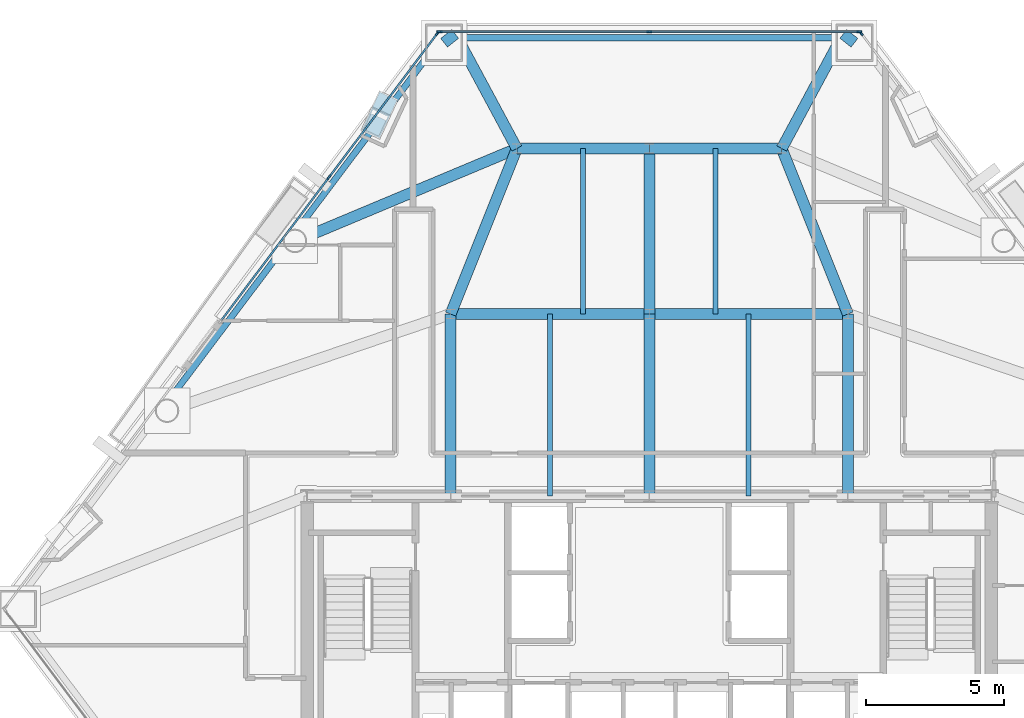
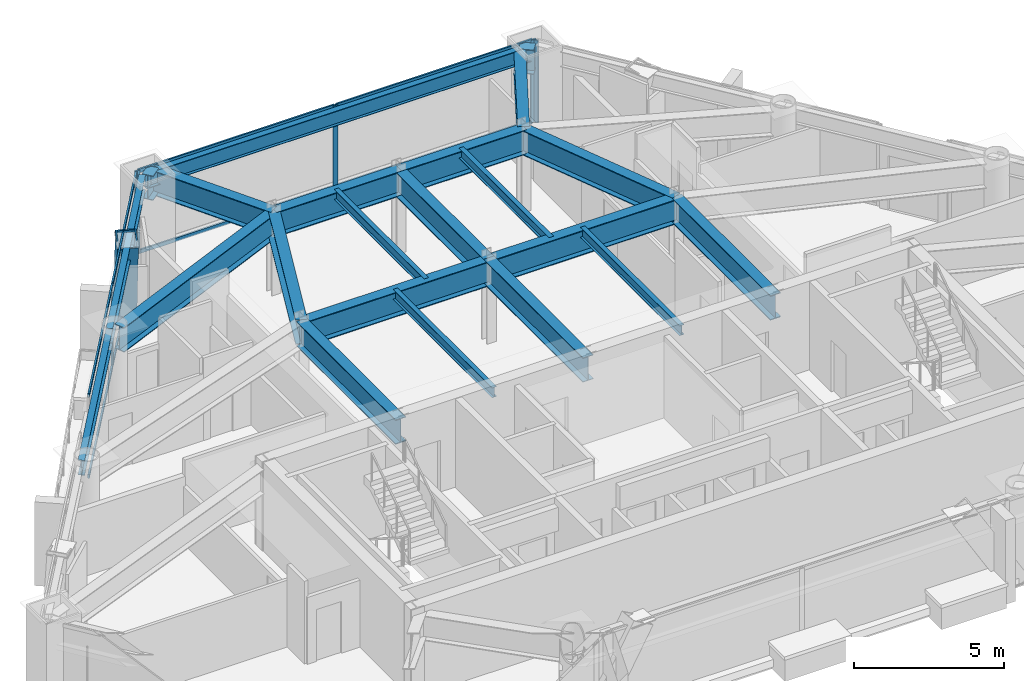
# One storey, part 3 of 10: 22 beams, 15 members, 3 elements without a shape of their own.
"""IFC4 building model written with IfcOpenShell, lengths in metres."""

from ifc_helpers import new_model, si_unit, direction, frame, origin, origin_2d, place, context, subcontext, project, spatial, rectangle, hollow_rectangle, i_section, extrude, material, layer, layer_set, material_profile, profile_set, type_object, element, aggregate, save


model = new_model("IFC4")

# Units and contexts
model_context = context("Model", 3, precision=1e-05, world=origin(), true_north=direction((0.0, 1.0)))
body_context = subcontext(model_context, "Body", "Model", "MODEL_VIEW")
ifc_project = project(units=[si_unit("LENGTHUNIT", "METRE"), si_unit("AREAUNIT", "SQUARE_METRE"), si_unit("VOLUMEUNIT", "CUBIC_METRE"), si_unit("PLANEANGLEUNIT", "RADIAN"), si_unit("MASSUNIT", "GRAM", prefix="KILO")], contexts=[model_context])

# Site, building, storey
site_placement = place(None, origin())
site = spatial("IfcSite", under=ifc_project, at=site_placement, CompositionType="ELEMENT")
building_placement = place(site_placement, origin())
building = spatial("IfcBuilding", under=site, at=building_placement, Name="Talgorran Terracotta Tower", CompositionType="ELEMENT")
storey_placement = place(building_placement, frame((0.0, 0.0, 64.800048828125)))
storey = spatial("IfcBuildingStorey", under=building, at=storey_placement, Name="L16", CompositionType="ELEMENT", Elevation=64.800048828125)

# Beams
ifc_material_1 = material(Name="Steel Grade 350 (350L0)", Category="steel")
ifc_material_profile_1 = material_profile(ifc_material_1, i_section(OverallWidth=0.39990234375, OverallDepth=1.0, WebThickness=0.01611328125, FlangeThickness=0.031005859375, at=origin_2d()), Name="1000WB296")
ifc_profile_set_1 = profile_set([ifc_material_profile_1], Name="Steel Grade 350 (350L0)")
beam_type_1 = type_object("IfcBeamType", Name="BM_1000WB296", PredefinedType="BEAM", material=ifc_profile_set_1)
beam_1_placement = place(storey_placement, frame((7.437744140625, 12.2333984375, 2.849853515625), z_axis=(-0.784007329748, 0.620751566169, 0.0), x_axis=(-0.620751566169, -0.784007329748, 0.0)))
element("IfcBeam", 1, at=beam_1_placement, inside=storey, type_object=beam_type_1, Name="L16 Perimeter Step Girder 9A", PredefinedType="BEAM", context=body_context, shape_type="SweptSolid", body=[
    extrude(i_section(OverallWidth=0.39990234375, OverallDepth=1.0, WebThickness=0.01611328125, FlangeThickness=0.031005859375, at=origin_2d()), origin(), (0.0, 0.0, 1.0), 0.514404296875),
])
beam_2_placement = place(storey_placement, frame((7.034423828125, 12.552734375, 2.849853515625), z_axis=(-0.473809593846, -0.880627315486, 0.0), x_axis=(0.880627315486, -0.473809593846, 0.0)))
element("IfcBeam", 2, at=beam_2_placement, inside=storey, type_object=beam_type_1, Name="L16 Perimeter Step Girder 9B", PredefinedType="BEAM", context=body_context, shape_type="SweptSolid", body=[
    extrude(i_section(OverallWidth=0.39990234375, OverallDepth=1.0, WebThickness=0.01611328125, FlangeThickness=0.031005859375, at=origin_2d()), origin(), (0.0, 0.0, 1.0), 4.7158203125),
])
beam_3_placement = place(storey_placement, frame((-7.437744140625, 12.2333984375, 2.849853515625), z_axis=(0.784007329748, 0.620751566169, 0.0), x_axis=(-0.620751566169, 0.784007329748, 0.0)))
element("IfcBeam", 3, at=beam_3_placement, inside=storey, type_object=beam_type_1, Name="L16 Perimeter Step Girder 10A", PredefinedType="BEAM", context=body_context, shape_type="SweptSolid", body=[
    extrude(i_section(OverallWidth=0.39990234375, OverallDepth=1.0, WebThickness=0.01611328125, FlangeThickness=0.031005859375, at=origin_2d()), origin(), (0.0, 0.0, 1.0), 0.514404296875),
])
beam_4_placement = place(storey_placement, frame((-7.034423828125, 12.552734375, 2.849853515625), z_axis=(0.473809593846, -0.880627315486, 0.0), x_axis=(0.880627315486, 0.473809593846, 0.0)))
element("IfcBeam", 4, at=beam_4_placement, inside=storey, type_object=beam_type_1, Name="L16 Perimeter Step Girder 10B", PredefinedType="BEAM", context=body_context, shape_type="SweptSolid", body=[
    extrude(i_section(OverallWidth=0.39990234375, OverallDepth=1.0, WebThickness=0.01611328125, FlangeThickness=0.031005859375, at=origin_2d()), origin(), (0.0, 0.0, 1.0), 4.7158203125),
])
for number, where, z_axis, x_axis, name in (
    (5, (-7.199951171875, -4.199951171875, 2.849853515625), (0.0, 1.0, 0.0), (-1.0, 0.0, 0.0), "L16 Floor Girder G01"),
    (6, (0.0, -4.199951171875, 2.849853515625), (0.0, 1.0, 0.0), (-1.0, 0.0, 0.0), "L16 Floor Girder G02"),
    (7, (7.199951171875, -4.199951171875, 2.849853515625), (0.0, 1.0, 0.0), (-1.0, 0.0, 0.0), "L16 Floor Girder G03"),
):
    element("IfcBeam", number, at=place(storey_placement, frame(where, z_axis=z_axis, x_axis=x_axis)), inside=storey, type_object=beam_type_1, Name=name, PredefinedType="BEAM", context=body_context, shape_type="SweptSolid", body=[
        extrude(i_section(OverallWidth=0.39990234375, OverallDepth=1.0, WebThickness=0.01611328125, FlangeThickness=0.031005859375, at=origin_2d()), origin(), (0.0, 0.0, 1.0), 6.599853515625),
    ])
for number, where, z_axis, x_axis, name in (
    (8, (-7.199951171875, 2.39990234375, 2.849853515625), (1.0, 0.0, 0.0), (0.0, 1.0, 0.0), "L16 Floor Girder G04"),
    (9, (0.0, 2.39990234375, 2.849853515625), (1.0, 0.0, 0.0), (0.0, 1.0, 0.0), "L16 Floor Girder G05"),
):
    element("IfcBeam", number, at=place(storey_placement, frame(where, z_axis=z_axis, x_axis=x_axis)), inside=storey, type_object=beam_type_1, Name=name, PredefinedType="BEAM", context=body_context, shape_type="SweptSolid", body=[
        extrude(i_section(OverallWidth=0.39990234375, OverallDepth=1.0, WebThickness=0.01611328125, FlangeThickness=0.031005859375, at=origin_2d()), origin(), (0.0, 0.0, 1.0), 7.199951171875),
    ])
beam_5_placement = place(storey_placement, frame((-7.199951171875, 2.39990234375, 2.849853515625), z_axis=(0.371377648723, 0.928481901832, 0.0), x_axis=(-0.928481901832, 0.371377648723, 0.0)))
element("IfcBeam", 10, at=beam_5_placement, inside=storey, type_object=beam_type_1, Name="L16 Floor Girder G08", PredefinedType="BEAM", context=body_context, shape_type="SweptSolid", body=[
    extrude(i_section(OverallWidth=0.39990234375, OverallDepth=1.0, WebThickness=0.01611328125, FlangeThickness=0.031005859375, at=origin_2d()), origin(), (0.0, 0.0, 1.0), 6.462158203125),
])
beam_6_placement = place(storey_placement, frame((0.0, 2.39990234375, 2.849853515625), z_axis=(0.0, 1.0, 0.0), x_axis=(-1.0, 0.0, 0.0)))
element("IfcBeam", 11, at=beam_6_placement, inside=storey, type_object=beam_type_1, Name="L16 Floor Girder G09", PredefinedType="BEAM", context=body_context, shape_type="SweptSolid", body=[
    extrude(i_section(OverallWidth=0.39990234375, OverallDepth=1.0, WebThickness=0.01611328125, FlangeThickness=0.031005859375, at=origin_2d()), origin(), (0.0, 0.0, 1.0), 6.0),
])
beam_7_placement = place(storey_placement, frame((7.199951171875, 2.39990234375, 2.849853515625), z_axis=(-0.371377648723, 0.928481901832, 0.0), x_axis=(-0.928481901832, -0.371377648723, 0.0)))
element("IfcBeam", 12, at=beam_7_placement, inside=storey, type_object=beam_type_1, Name="L16 Floor Girder G10", PredefinedType="BEAM", context=body_context, shape_type="SweptSolid", body=[
    extrude(i_section(OverallWidth=0.39990234375, OverallDepth=1.0, WebThickness=0.01611328125, FlangeThickness=0.031005859375, at=origin_2d()), origin(), (0.0, 0.0, 1.0), 6.462158203125),
])
for number, where, z_axis, x_axis, name in (
    (13, (-4.800048828125, 8.39990234375, 2.849853515625), (1.0, 0.0, 0.0), (0.0, 1.0, 0.0), "L16 Floor Girder G11"),
    (14, (0.0, 8.39990234375, 2.849853515625), (1.0, 0.0, 0.0), (0.0, 1.0, 0.0), "L16 Floor Girder G12"),
):
    element("IfcBeam", number, at=place(storey_placement, frame(where, z_axis=z_axis, x_axis=x_axis)), inside=storey, type_object=beam_type_1, Name=name, PredefinedType="BEAM", context=body_context, shape_type="SweptSolid", body=[
        extrude(i_section(OverallWidth=0.39990234375, OverallDepth=1.0, WebThickness=0.01611328125, FlangeThickness=0.031005859375, at=origin_2d()), origin(), (0.0, 0.0, 1.0), 4.800048828125),
    ])
beam_8_placement = place(storey_placement, frame((-4.800048828125, 8.39990234375, 2.849853515625), z_axis=(-0.922404506717, -0.386225227023, 0.0), x_axis=(0.386225227023, -0.922404506717, 0.0)))
element("IfcBeam", 15, at=beam_8_placement, inside=storey, type_object=beam_type_1, Name="L16 Floor Girder G13", PredefinedType="BEAM", context=body_context, shape_type="SweptSolid", body=[
    extrude(i_section(OverallWidth=0.39990234375, OverallDepth=1.0, WebThickness=0.01611328125, FlangeThickness=0.031005859375, at=origin_2d()), origin(), (0.0, 0.0, 1.0), 8.482421875),
])
ifc_material_2 = material(Name="Steel S355 (300PLUS)", Category="steel")
ifc_material_profile_2 = material_profile(ifc_material_2, i_section(OverallWidth=0.177734375, OverallDepth=0.406494140625, WebThickness=0.0078125, FlangeThickness=0.0126953125, at=origin_2d()), Name="410UB59.7")
ifc_profile_set_2 = profile_set([ifc_material_profile_2], Name="Steel S355 (300PLUS)")
beam_type_2 = type_object("IfcBeamType", Name="BM_JS_410UB60", PredefinedType="JOIST", material=ifc_profile_set_2)
for number, where, z_axis, x_axis, name in (
    (16, (-3.60009765625, -4.199951171875, 3.146728515625), (0.0, 1.0, 0.0), (-1.0, 0.0, 0.0), "L16 Secondary Joist J01"),
    (17, (3.60009765625, -4.199951171875, 3.146728515625), (0.0, 1.0, 0.0), (-1.0, 0.0, 0.0), "L16 Secondary Joist J02"),
):
    element("IfcBeam", number, at=place(storey_placement, frame(where, z_axis=z_axis, x_axis=x_axis)), inside=storey, type_object=beam_type_2, Name=name, PredefinedType="JOIST", context=body_context, shape_type="SweptSolid", body=[
        extrude(i_section(OverallWidth=0.177734375, OverallDepth=0.406494140625, WebThickness=0.0078125, FlangeThickness=0.0126953125, at=origin_2d()), origin(), (0.0, 0.0, 1.0), 6.599853515625),
    ])
for number, where, z_axis, x_axis, name in (
    (18, (-2.39990234375, 2.39990234375, 3.146728515625), (0.0, 1.0, 0.0), (-1.0, 0.0, 0.0), "L16 Secondary Joist J03"),
    (19, (2.39990234375, 2.39990234375, 3.146728515625), (0.0, 1.0, 0.0), (-1.0, 0.0, 0.0), "L16 Secondary Joist J04"),
):
    element("IfcBeam", number, at=place(storey_placement, frame(where, z_axis=z_axis, x_axis=x_axis)), inside=storey, type_object=beam_type_2, Name=name, PredefinedType="JOIST", context=body_context, shape_type="SweptSolid", body=[
        extrude(i_section(OverallWidth=0.177734375, OverallDepth=0.406494140625, WebThickness=0.0078125, FlangeThickness=0.0126953125, at=origin_2d()), origin(), (0.0, 0.0, 1.0), 6.0),
    ])
ifc_material_profile_3 = material_profile(ifc_material_2, i_section(OverallWidth=0.22900390625, OverallDepth=0.611572265625, WebThickness=0.011962890625, FlangeThickness=0.01953125, at=origin_2d()), Name="610UB125")
ifc_profile_set_3 = profile_set([ifc_material_profile_3], Name="Steel S355 (300PLUS)")
beam_type_3 = type_object("IfcBeamType", Name="BM_SP_610UB125", PredefinedType="SPANDREL", material=ifc_profile_set_3)
beam_9_placement = place(storey_placement, frame((7.437744140625, 12.413330078125, 3.044189453125), z_axis=(-1.0, 0.0, 0.0), x_axis=(0.0, -1.0, 0.0)))
element("IfcBeam", 20, at=beam_9_placement, inside=storey, type_object=beam_type_3, Name="L16 Perimeter Spandrel Beam MC5-MC6", PredefinedType="SPANDREL", context=body_context, shape_type="SweptSolid", body=[
    extrude(i_section(OverallWidth=0.22900390625, OverallDepth=0.611572265625, WebThickness=0.011962890625, FlangeThickness=0.01953125, at=origin_2d()), origin(), (0.0, 0.0, 1.0), 14.87548828125),
])
beam_10_placement = place(storey_placement, frame((-7.58154296875, 12.341552734375, 3.044189453125), z_axis=(-0.601446008666, -0.798913448791, 0.0), x_axis=(0.798913448791, -0.601446008666, 0.0)))
element("IfcBeam", 21, at=beam_10_placement, inside=storey, type_object=beam_type_3, Name="L16 Perimeter Spandrel Beam MC6-FC5", PredefinedType="SPANDREL", context=body_context, shape_type="SweptSolid", body=[
    extrude(i_section(OverallWidth=0.22900390625, OverallDepth=0.611572265625, WebThickness=0.011962890625, FlangeThickness=0.01953125, at=origin_2d()), origin(), (0.0, 0.0, 1.0), 8.989501953125),
])
beam_11_placement = place(storey_placement, frame((-12.98828125, 5.15966796875, 3.044189453125), z_axis=(-0.601413481794, -0.798937934959, 0.0), x_axis=(0.798937934959, -0.601413481794, 0.0)))
element("IfcBeam", 22, at=beam_11_placement, inside=storey, type_object=beam_type_3, Name="L16 Perimeter Spandrel Beam FC5-FC6", PredefinedType="SPANDREL", context=body_context, shape_type="SweptSolid", body=[
    extrude(i_section(OverallWidth=0.22900390625, OverallDepth=0.611572265625, WebThickness=0.011962890625, FlangeThickness=0.01953125, at=origin_2d()), origin(), (0.0, 0.0, 1.0), 7.705322265625),
])

# Member
ifc_material_profile_4 = material_profile(ifc_material_1, hollow_rectangle(XDim=0.699951171875, YDim=0.89990234375, WallThickness=0.050048828125, at=origin_2d()), Name="WBOX900X700X50")
ifc_profile_set_4 = profile_set([ifc_material_profile_4], Name="Steel Grade 350 (350L0)")
member_type_1 = type_object("IfcMemberType", Name="MB_MEGA_900", PredefinedType="BRACE", material=ifc_profile_set_4)
member_1_placement = place(storey_placement, frame((-9.64501953125, 9.89990234375, -0.025146484375), z_axis=(-0.076747511525, -0.164933014648, 0.983314253), x_axis=(0.906648617193, -0.421886578291, 0.0)))
element("IfcMember", 23, at=member_1_placement, inside=storey, type_object=member_type_1, Name="L16 Exterior Face Mega-Brace MB-1 (NWU)", PredefinedType="BRACE", context=body_context, shape_type="SweptSolid", body=[
    extrude(hollow_rectangle(XDim=0.699951171875, YDim=0.89990234375, WallThickness=0.050048828125, at=origin_2d()), origin(), (0.0, 0.0, 1.0), 3.457763671875),
])

# Curtain wall, member
ifc_material_3 = material(Name="Unitised Low-E Double Glazing", Category="glass")
ifc_layer = layer(ifc_material_3, 0.199951171875, Name="CW_SYS2_RES_LOW")
ifc_layer_set = layer_set([ifc_layer], Name="Unitised Low-E Double Glazing")
curtain_wall_type = type_object("IfcCurtainWallType", Name="CW_SYS2_RES_LOW", PredefinedType="NOTDEFINED", material=ifc_layer_set)
curtain_wall_1_placement = place(storey_placement, origin())
curtain_wall_1 = element("IfcCurtainWall", 24, at=curtain_wall_1_placement, inside=storey, type_object=curtain_wall_type, Name="CW-L16-F41", PredefinedType="NOTDEFINED")
ifc_material_4 = material(Name="Architectural Aluminium 6063-T6", Category="aluminium")
ifc_material_profile_5 = material_profile(ifc_material_4, rectangle(XDim=0.06494140625, YDim=0.18505859375, at=origin_2d()), Name="CWM65X185")
ifc_profile_set_5 = profile_set([ifc_material_profile_5], Name="Architectural Aluminium 6063-T6")
member_type_2 = type_object("IfcMemberType", Name="MUL_65X185", PredefinedType="MULLION", material=ifc_profile_set_5)
member_2_placement = place(storey_placement, frame((7.680908203125, 12.575439453125, 0.0), z_axis=(0.0, 0.0, 1.0), x_axis=(-0.798920691857, -0.601436387429, 0.0)))
member_2 = element("IfcMember", 25, at=member_2_placement, type_object=member_type_2, Name="CW-L16-41 mullion 2", PredefinedType="MULLION", context=body_context, shape_type="SweptSolid", body=[
    extrude(rectangle(XDim=0.06494140625, YDim=0.18505859375, at=origin_2d()), origin(), (0.0, 0.0, 1.0), 3.349853515625),
])
aggregate(curtain_wall_1, [member_2])

# Curtain wall, members
curtain_wall_2_placement = place(storey_placement, origin())
curtain_wall_2 = element("IfcCurtainWall", 26, at=curtain_wall_2_placement, inside=storey, type_object=curtain_wall_type, Name="CW-L16-F4", PredefinedType="NOTDEFINED")
member_3_placement = place(storey_placement, frame((7.604736328125, 12.63330078125, 0.0), z_axis=(0.0, 0.0, 1.0), x_axis=(0.0, -1.0, 0.0)))
member_3 = element("IfcMember", 27, at=member_3_placement, type_object=member_type_2, Name="CW-L16-4 mullion 1", PredefinedType="MULLION", context=body_context, shape_type="SweptSolid", body=[
    extrude(rectangle(XDim=0.06494140625, YDim=0.18505859375, at=origin_2d()), origin(), (0.0, 0.0, 1.0), 3.349853515625),
])
member_4_placement = place(storey_placement, frame((0.0, 12.63330078125, 0.0), z_axis=(0.0, 0.0, 1.0), x_axis=(0.0, -1.0, 0.0)))
member_4 = element("IfcMember", 28, at=member_4_placement, type_object=member_type_2, Name="CW-L16-4 mullion 2", PredefinedType="MULLION", context=body_context, shape_type="SweptSolid", body=[
    extrude(rectangle(XDim=0.06494140625, YDim=0.18505859375, at=origin_2d()), origin(), (0.0, 0.0, 1.0), 3.349853515625),
])
member_5_placement = place(storey_placement, frame((-7.604736328125, 12.63330078125, 0.0), z_axis=(0.0, 0.0, 1.0), x_axis=(0.0, -1.0, 0.0)))
member_5 = element("IfcMember", 29, at=member_5_placement, type_object=member_type_2, Name="CW-L16-4 mullion 3", PredefinedType="MULLION", context=body_context, shape_type="SweptSolid", body=[
    extrude(rectangle(XDim=0.06494140625, YDim=0.18505859375, at=origin_2d()), origin(), (0.0, 0.0, 1.0), 3.349853515625),
])

curtain_wall_3_placement = place(storey_placement, origin())
curtain_wall_3 = element("IfcCurtainWall", 30, at=curtain_wall_3_placement, inside=storey, type_object=curtain_wall_type, Name="CW-L16-F60", PredefinedType="NOTDEFINED")
member_6_placement = place(storey_placement, frame((-7.680908203125, 12.575439453125, 0.0), z_axis=(0.0, 0.0, 1.0), x_axis=(0.798918632962, -0.601439122361, 0.0)))
member_6 = element("IfcMember", 31, at=member_6_placement, type_object=member_type_2, Name="CW-L16-60 mullion 1", PredefinedType="MULLION", context=body_context, shape_type="SweptSolid", body=[
    extrude(rectangle(XDim=0.06494140625, YDim=0.18505859375, at=origin_2d()), origin(), (0.0, 0.0, 1.0), 3.349853515625),
])
member_7_placement = place(storey_placement, frame((-11.607177734375, 7.35986328125, 0.0), z_axis=(0.0, 0.0, 1.0), x_axis=(0.798918632962, -0.601439122361, 0.0)))
member_7 = element("IfcMember", 32, at=member_7_placement, type_object=member_type_2, Name="CW-L16-60 mullion 2", PredefinedType="MULLION", context=body_context, shape_type="SweptSolid", body=[
    extrude(rectangle(XDim=0.06494140625, YDim=0.18505859375, at=origin_2d()), origin(), (0.0, 0.0, 1.0), 3.349853515625),
])

# Member
ifc_material_profile_6 = material_profile(ifc_material_4, rectangle(XDim=0.06494140625, YDim=0.14990234375, at=origin_2d()), Name="CWT65X150")
ifc_profile_set_6 = profile_set([ifc_material_profile_6], Name="Architectural Aluminium 6063-T6")
member_type_3 = type_object("IfcMemberType", Name="TRN_65X150", PredefinedType="USERDEFINED", material=ifc_profile_set_6)
member_8_placement = place(storey_placement, frame((7.572265625, 12.63330078125, 0.032470703125), z_axis=(-1.0, 0.0, 0.0), x_axis=(0.0, -1.0, 0.0)))
member_8 = element("IfcMember", 33, at=member_8_placement, type_object=member_type_3, Name="CW-L16-4 transom 1.1", ObjectType="TRANSOM", PredefinedType="USERDEFINED", context=body_context, shape_type="SweptSolid", body=[
    extrude(rectangle(XDim=0.06494140625, YDim=0.14990234375, at=origin_2d()), origin(), (0.0, 0.0, 1.0), 7.539794921875),
])

member_9_placement = place(storey_placement, frame((7.572265625, 12.63330078125, 3.3173828125), z_axis=(-1.0, 0.0, 0.0), x_axis=(0.0, -1.0, 0.0)))
member_9 = element("IfcMember", 34, at=member_9_placement, type_object=member_type_3, Name="CW-L16-4 transom 1.2", ObjectType="TRANSOM", PredefinedType="USERDEFINED", context=body_context, shape_type="SweptSolid", body=[
    extrude(rectangle(XDim=0.06494140625, YDim=0.14990234375, at=origin_2d()), origin(), (0.0, 0.0, 1.0), 7.539794921875),
])

member_10_placement = place(storey_placement, frame((-0.032470703125, 12.63330078125, 0.032470703125), z_axis=(-1.0, 0.0, 0.0), x_axis=(0.0, -1.0, 0.0)))
member_10 = element("IfcMember", 35, at=member_10_placement, type_object=member_type_3, Name="CW-L16-4 transom 2.1", ObjectType="TRANSOM", PredefinedType="USERDEFINED", context=body_context, shape_type="SweptSolid", body=[
    extrude(rectangle(XDim=0.06494140625, YDim=0.14990234375, at=origin_2d()), origin(), (0.0, 0.0, 1.0), 7.539794921875),
])

member_11_placement = place(storey_placement, frame((-0.032470703125, 12.63330078125, 3.3173828125), z_axis=(-1.0, 0.0, 0.0), x_axis=(0.0, -1.0, 0.0)))
member_11 = element("IfcMember", 36, at=member_11_placement, type_object=member_type_3, Name="CW-L16-4 transom 2.2", ObjectType="TRANSOM", PredefinedType="USERDEFINED", context=body_context, shape_type="SweptSolid", body=[
    extrude(rectangle(XDim=0.06494140625, YDim=0.14990234375, at=origin_2d()), origin(), (0.0, 0.0, 1.0), 7.539794921875),
])

aggregate(curtain_wall_2, [member_3, member_4, member_5, member_8, member_9, member_10, member_11])

member_12_placement = place(storey_placement, frame((-7.700439453125, 12.54931640625, 0.032470703125), z_axis=(-0.60143746364, -0.798919881672, 0.0), x_axis=(0.798919881672, -0.60143746364, 0.0)))
member_12 = element("IfcMember", 37, at=member_12_placement, type_object=member_type_3, Name="CW-L16-60 transom 1.1", ObjectType="TRANSOM", PredefinedType="USERDEFINED", context=body_context, shape_type="SweptSolid", body=[
    extrude(rectangle(XDim=0.06494140625, YDim=0.14990234375, at=origin_2d()), origin(), (0.0, 0.0, 1.0), 6.463134765625),
])

member_13_placement = place(storey_placement, frame((-7.700439453125, 12.54931640625, 3.3173828125), z_axis=(-0.60143746364, -0.798919881672, 0.0), x_axis=(0.798919881672, -0.60143746364, 0.0)))
member_13 = element("IfcMember", 38, at=member_13_placement, type_object=member_type_3, Name="CW-L16-60 transom 1.2", ObjectType="TRANSOM", PredefinedType="USERDEFINED", context=body_context, shape_type="SweptSolid", body=[
    extrude(rectangle(XDim=0.06494140625, YDim=0.14990234375, at=origin_2d()), origin(), (0.0, 0.0, 1.0), 6.463134765625),
])

member_14_placement = place(storey_placement, frame((-11.626708984375, 7.333984375, 0.032470703125), z_axis=(-0.60143746364, -0.798919881672, 0.0), x_axis=(0.798919881672, -0.60143746364, 0.0)))
member_14 = element("IfcMember", 39, at=member_14_placement, type_object=member_type_3, Name="CW-L16-60 transom 2.1", ObjectType="TRANSOM", PredefinedType="USERDEFINED", context=body_context, shape_type="SweptSolid", body=[
    extrude(rectangle(XDim=0.06494140625, YDim=0.14990234375, at=origin_2d()), origin(), (0.0, 0.0, 1.0), 6.463134765625),
])

member_15_placement = place(storey_placement, frame((-11.626708984375, 7.333984375, 3.3173828125), z_axis=(-0.60143746364, -0.798919881672, 0.0), x_axis=(0.798919881672, -0.60143746364, 0.0)))
member_15 = element("IfcMember", 40, at=member_15_placement, type_object=member_type_3, Name="CW-L16-60 transom 2.2", ObjectType="TRANSOM", PredefinedType="USERDEFINED", context=body_context, shape_type="SweptSolid", body=[
    extrude(rectangle(XDim=0.06494140625, YDim=0.14990234375, at=origin_2d()), origin(), (0.0, 0.0, 1.0), 6.463134765625),
])

aggregate(curtain_wall_3, [member_6, member_7, member_12, member_13, member_14, member_15])

save(model, "model.ifc")
